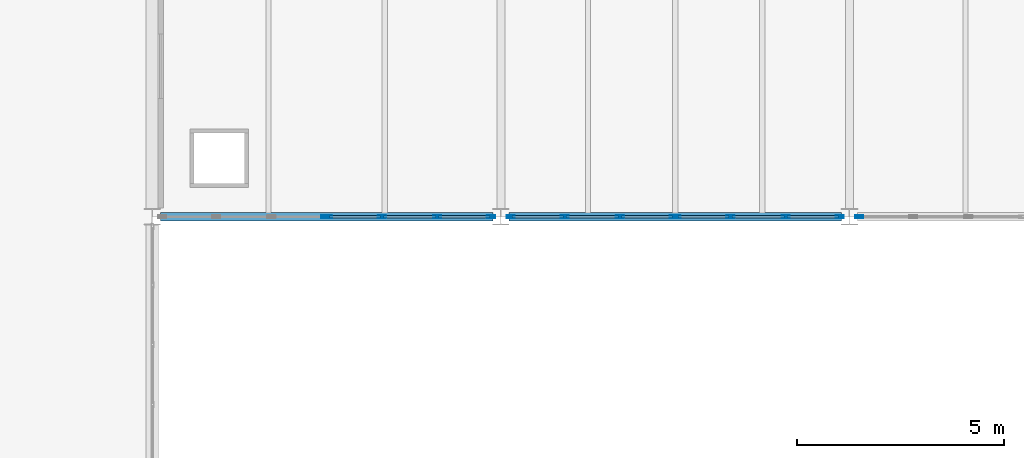
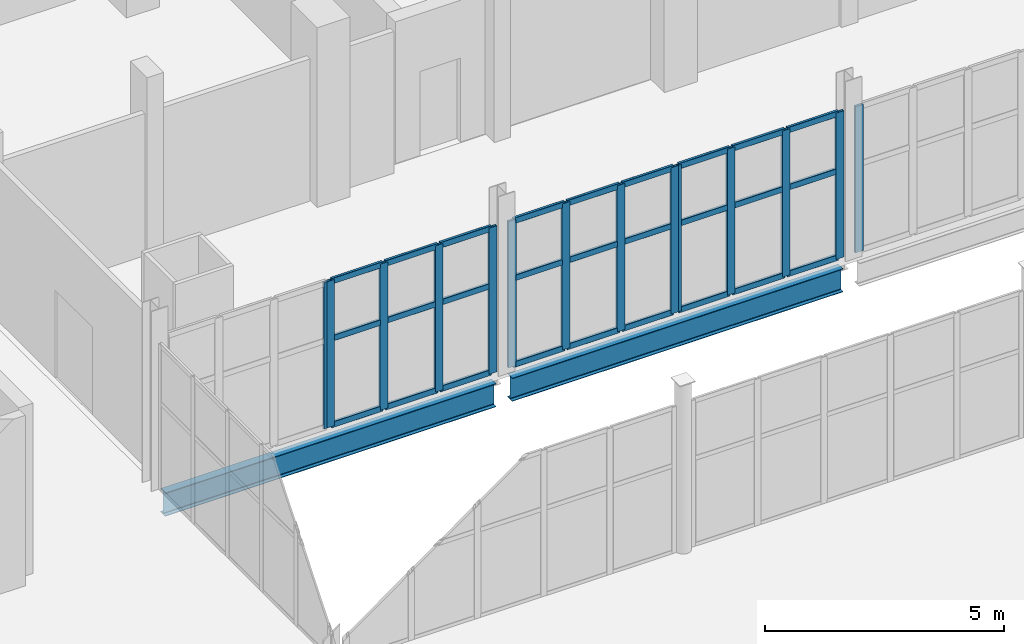
# One storey, part 71 of 172: 41 members, 2 beams, 5 elements without a shape of their own.
"""IFC4 building model written with IfcOpenShell, lengths in metres."""

from ifc_helpers import new_model, si_unit, direction, frame, origin, origin_2d, place, context, subcontext, project, spatial, hollow_rectangle, i_section, extrude, material, material_profile, profile_set, type_object, element, aggregate, save


model = new_model("IFC4")

# Units and contexts
model_context = context("Model", 3, precision=1e-05, world=origin(), true_north=direction((0.0, 1.0)))
body_context = subcontext(model_context, "Body", "Model", "MODEL_VIEW")
ifc_project = project(units=[si_unit("LENGTHUNIT", "METRE"), si_unit("AREAUNIT", "SQUARE_METRE"), si_unit("VOLUMEUNIT", "CUBIC_METRE"), si_unit("PLANEANGLEUNIT", "RADIAN"), si_unit("MASSUNIT", "GRAM", prefix="KILO")], contexts=[model_context])

# Site, building, storey
site_placement = place(None, origin())
site = spatial("IfcSite", under=ifc_project, at=site_placement, CompositionType="ELEMENT")
building_placement = place(site_placement, origin())
building = spatial("IfcBuilding", under=site, at=building_placement, Name="Shengluoqiao Park Theatre", CompositionType="ELEMENT")
storey_placement = place(building_placement, frame((0.0, 0.0, 5.39990234375)))
storey = spatial("IfcBuildingStorey", under=building, at=storey_placement, Name="L01", CompositionType="ELEMENT", Elevation=5.39990234375)

# Curtain wall, member
ifc_material_1 = material(Name="Aluminium 6063-T6", Category="aluminium")
curtain_wall_type = type_object("IfcCurtainWallType", Name="ENV-CW-PROM", PredefinedType="NOTDEFINED", material=ifc_material_1)
curtain_wall_1_placement = place(storey_placement, origin())
curtain_wall_1 = element("IfcCurtainWall", 1, at=curtain_wall_1_placement, inside=storey, type_object=curtain_wall_type, Name="L01 Curtain Wall CW-L01-0051", PredefinedType="NOTDEFINED")
ifc_material_profile_1 = material_profile(ifc_material_1, hollow_rectangle(XDim=0.06494140625, YDim=0.199951171875, WallThickness=0.0048828125, InnerFilletRadius=0.0048828125, OuterFilletRadius=0.010009765625, at=origin_2d()), Name="ALU MULLION 200x65x5")
ifc_profile_set_1 = profile_set([ifc_material_profile_1], Name="Aluminium 6063-T6")
member_type_1 = type_object("IfcMemberType", Name="ENV-MUL-200", PredefinedType="MULLION", material=ifc_profile_set_1)
member_1_placement = place(storey_placement, frame((48.5673828125, 68.39990234375, 0.0), z_axis=(0.0, 0.0, 1.0), x_axis=(0.0, 1.0, 0.0)))
member_1 = element("IfcMember", 2, at=member_1_placement, type_object=member_type_1, Name="CW-04 mullion 4", PredefinedType="MULLION", context=body_context, shape_type="SweptSolid", body=[
    extrude(hollow_rectangle(XDim=0.06494140625, YDim=0.199951171875, WallThickness=0.0048828125, InnerFilletRadius=0.0048828125, OuterFilletRadius=0.010009765625, at=origin_2d()), origin(), (0.0, 0.0, 1.0), 3.7421875),
])
aggregate(curtain_wall_1, [member_1])

# Curtain wall, members
curtain_wall_2_placement = place(storey_placement, origin())
curtain_wall_2 = element("IfcCurtainWall", 3, at=curtain_wall_2_placement, inside=storey, type_object=curtain_wall_type, Name="L01 Curtain Wall CW-L01-0052", PredefinedType="NOTDEFINED")
member_2_placement = place(storey_placement, frame((48.632568359375, 68.39990234375, 0.0), z_axis=(0.0, 0.0, 1.0), x_axis=(0.0, 1.0, 0.0)))
member_2 = element("IfcMember", 4, at=member_2_placement, type_object=member_type_1, Name="CW-04 mullion 1", PredefinedType="MULLION", context=body_context, shape_type="SweptSolid", body=[
    extrude(hollow_rectangle(XDim=0.06494140625, YDim=0.199951171875, WallThickness=0.0048828125, InnerFilletRadius=0.0048828125, OuterFilletRadius=0.010009765625, at=origin_2d()), origin(), (0.0, 0.0, 1.0), 3.7421875),
])
member_3_placement = place(storey_placement, frame((49.931884765625, 68.39990234375, 0.0), z_axis=(0.0, 0.0, 1.0), x_axis=(0.0, 1.0, 0.0)))
member_3 = element("IfcMember", 5, at=member_3_placement, type_object=member_type_1, Name="CW-04 mullion 2", PredefinedType="MULLION", context=body_context, shape_type="SweptSolid", body=[
    extrude(hollow_rectangle(XDim=0.06494140625, YDim=0.199951171875, WallThickness=0.0048828125, InnerFilletRadius=0.0048828125, OuterFilletRadius=0.010009765625, at=origin_2d()), origin(), (0.0, 0.0, 1.0), 3.7421875),
])
member_4_placement = place(storey_placement, frame((51.263916015625, 68.39990234375, 0.0), z_axis=(0.0, 0.0, 1.0), x_axis=(0.0, 1.0, 0.0)))
member_4 = element("IfcMember", 6, at=member_4_placement, type_object=member_type_1, Name="CW-04 mullion 3", PredefinedType="MULLION", context=body_context, shape_type="SweptSolid", body=[
    extrude(hollow_rectangle(XDim=0.06494140625, YDim=0.199951171875, WallThickness=0.0048828125, InnerFilletRadius=0.0048828125, OuterFilletRadius=0.010009765625, at=origin_2d()), origin(), (0.0, 0.0, 1.0), 3.7421875),
])
member_5_placement = place(storey_placement, frame((52.5634765625, 68.39990234375, 0.0), z_axis=(0.0, 0.0, 1.0), x_axis=(0.0, 1.0, 0.0)))
member_5 = element("IfcMember", 7, at=member_5_placement, type_object=member_type_1, Name="CW-04 mullion 4", PredefinedType="MULLION", context=body_context, shape_type="SweptSolid", body=[
    extrude(hollow_rectangle(XDim=0.06494140625, YDim=0.199951171875, WallThickness=0.0048828125, InnerFilletRadius=0.0048828125, OuterFilletRadius=0.010009765625, at=origin_2d()), origin(), (0.0, 0.0, 1.0), 3.7421875),
])

curtain_wall_3_placement = place(storey_placement, origin())
curtain_wall_3 = element("IfcCurtainWall", 8, at=curtain_wall_3_placement, inside=storey, type_object=curtain_wall_type, Name="L01 Curtain Wall CW-L01-0053", PredefinedType="NOTDEFINED")
member_6_placement = place(storey_placement, frame((53.03662109375, 68.39990234375, 0.0), z_axis=(0.0, 0.0, 1.0), x_axis=(0.0, 1.0, 0.0)))
member_6 = element("IfcMember", 9, at=member_6_placement, type_object=member_type_1, Name="CW-04 mullion 1", PredefinedType="MULLION", context=body_context, shape_type="SweptSolid", body=[
    extrude(hollow_rectangle(XDim=0.06494140625, YDim=0.199951171875, WallThickness=0.0048828125, InnerFilletRadius=0.0048828125, OuterFilletRadius=0.010009765625, at=origin_2d()), origin(), (0.0, 0.0, 1.0), 3.7421875),
])
member_7_placement = place(storey_placement, frame((54.3359375, 68.39990234375, 0.0), z_axis=(0.0, 0.0, 1.0), x_axis=(0.0, 1.0, 0.0)))
member_7 = element("IfcMember", 10, at=member_7_placement, type_object=member_type_1, Name="CW-04 mullion 2", PredefinedType="MULLION", context=body_context, shape_type="SweptSolid", body=[
    extrude(hollow_rectangle(XDim=0.06494140625, YDim=0.199951171875, WallThickness=0.0048828125, InnerFilletRadius=0.0048828125, OuterFilletRadius=0.010009765625, at=origin_2d()), origin(), (0.0, 0.0, 1.0), 3.7421875),
])
member_8_placement = place(storey_placement, frame((55.66796875, 68.39990234375, 0.0), z_axis=(0.0, 0.0, 1.0), x_axis=(0.0, 1.0, 0.0)))
member_8 = element("IfcMember", 11, at=member_8_placement, type_object=member_type_1, Name="CW-04 mullion 3", PredefinedType="MULLION", context=body_context, shape_type="SweptSolid", body=[
    extrude(hollow_rectangle(XDim=0.06494140625, YDim=0.199951171875, WallThickness=0.0048828125, InnerFilletRadius=0.0048828125, OuterFilletRadius=0.010009765625, at=origin_2d()), origin(), (0.0, 0.0, 1.0), 3.7421875),
])
member_9_placement = place(storey_placement, frame((56.967529296875, 68.39990234375, 0.0), z_axis=(0.0, 0.0, 1.0), x_axis=(0.0, 1.0, 0.0)))
member_9 = element("IfcMember", 12, at=member_9_placement, type_object=member_type_1, Name="CW-04 mullion 4", PredefinedType="MULLION", context=body_context, shape_type="SweptSolid", body=[
    extrude(hollow_rectangle(XDim=0.06494140625, YDim=0.199951171875, WallThickness=0.0048828125, InnerFilletRadius=0.0048828125, OuterFilletRadius=0.010009765625, at=origin_2d()), origin(), (0.0, 0.0, 1.0), 3.7421875),
])

curtain_wall_4_placement = place(storey_placement, origin())
curtain_wall_4 = element("IfcCurtainWall", 13, at=curtain_wall_4_placement, inside=storey, type_object=curtain_wall_type, Name="L01 Curtain Wall CW-L01-0054", PredefinedType="NOTDEFINED")
member_10_placement = place(storey_placement, frame((57.032470703125, 68.39990234375, 0.0), z_axis=(0.0, 0.0, 1.0), x_axis=(0.0, 1.0, 0.0)))
member_10 = element("IfcMember", 14, at=member_10_placement, type_object=member_type_1, Name="CW-04 mullion 1", PredefinedType="MULLION", context=body_context, shape_type="SweptSolid", body=[
    extrude(hollow_rectangle(XDim=0.06494140625, YDim=0.199951171875, WallThickness=0.0048828125, InnerFilletRadius=0.0048828125, OuterFilletRadius=0.010009765625, at=origin_2d()), origin(), (0.0, 0.0, 1.0), 3.7421875),
])
member_11_placement = place(storey_placement, frame((58.33203125, 68.39990234375, 0.0), z_axis=(0.0, 0.0, 1.0), x_axis=(0.0, 1.0, 0.0)))
member_11 = element("IfcMember", 15, at=member_11_placement, type_object=member_type_1, Name="CW-04 mullion 2", PredefinedType="MULLION", context=body_context, shape_type="SweptSolid", body=[
    extrude(hollow_rectangle(XDim=0.06494140625, YDim=0.199951171875, WallThickness=0.0048828125, InnerFilletRadius=0.0048828125, OuterFilletRadius=0.010009765625, at=origin_2d()), origin(), (0.0, 0.0, 1.0), 3.7421875),
])
member_12_placement = place(storey_placement, frame((59.6640625, 68.39990234375, 0.0), z_axis=(0.0, 0.0, 1.0), x_axis=(0.0, 1.0, 0.0)))
member_12 = element("IfcMember", 16, at=member_12_placement, type_object=member_type_1, Name="CW-04 mullion 3", PredefinedType="MULLION", context=body_context, shape_type="SweptSolid", body=[
    extrude(hollow_rectangle(XDim=0.06494140625, YDim=0.199951171875, WallThickness=0.0048828125, InnerFilletRadius=0.0048828125, OuterFilletRadius=0.010009765625, at=origin_2d()), origin(), (0.0, 0.0, 1.0), 3.7421875),
])
member_13_placement = place(storey_placement, frame((60.96337890625, 68.39990234375, 0.0), z_axis=(0.0, 0.0, 1.0), x_axis=(0.0, 1.0, 0.0)))
member_13 = element("IfcMember", 17, at=member_13_placement, type_object=member_type_1, Name="CW-04 mullion 4", PredefinedType="MULLION", context=body_context, shape_type="SweptSolid", body=[
    extrude(hollow_rectangle(XDim=0.06494140625, YDim=0.199951171875, WallThickness=0.0048828125, InnerFilletRadius=0.0048828125, OuterFilletRadius=0.010009765625, at=origin_2d()), origin(), (0.0, 0.0, 1.0), 3.7421875),
])

# Curtain wall, member
curtain_wall_5_placement = place(storey_placement, origin())
curtain_wall_5 = element("IfcCurtainWall", 18, at=curtain_wall_5_placement, inside=storey, type_object=curtain_wall_type, Name="L01 Curtain Wall CW-L01-0055", PredefinedType="NOTDEFINED")
member_14_placement = place(storey_placement, frame((61.4365234375, 68.39990234375, 0.0), z_axis=(0.0, 0.0, 1.0), x_axis=(0.0, 1.0, 0.0)))
member_14 = element("IfcMember", 19, at=member_14_placement, type_object=member_type_1, Name="CW-04 mullion 1", PredefinedType="MULLION", context=body_context, shape_type="SweptSolid", body=[
    extrude(hollow_rectangle(XDim=0.06494140625, YDim=0.199951171875, WallThickness=0.0048828125, InnerFilletRadius=0.0048828125, OuterFilletRadius=0.010009765625, at=origin_2d()), origin(), (0.0, 0.0, 1.0), 3.7421875),
])
aggregate(curtain_wall_5, [member_14])

# Member
ifc_material_profile_2 = material_profile(ifc_material_1, hollow_rectangle(XDim=0.06494140625, YDim=0.14990234375, WallThickness=0.00390625, InnerFilletRadius=0.00390625, OuterFilletRadius=0.008056640625, at=origin_2d()), Name="ALU TRANSOM 150x65x4")
ifc_profile_set_2 = profile_set([ifc_material_profile_2], Name="Aluminium 6063-T6")
member_type_2 = type_object("IfcMemberType", Name="ENV-TRN-150", PredefinedType="USERDEFINED", material=ifc_profile_set_2)
member_15_placement = place(storey_placement, frame((48.6650390625, 68.39990234375, 0.03271484375), z_axis=(1.0, 0.0, 0.0), x_axis=(0.0, 1.0, 0.0)))
member_15 = element("IfcMember", 20, at=member_15_placement, type_object=member_type_2, Name="CW-04 transom 1.1", ObjectType="TRANSOM", PredefinedType="USERDEFINED", context=body_context, shape_type="SweptSolid", body=[
    extrude(hollow_rectangle(XDim=0.06494140625, YDim=0.14990234375, WallThickness=0.00390625, InnerFilletRadius=0.00390625, OuterFilletRadius=0.008056640625, at=origin_2d()), origin(), (0.0, 0.0, 1.0), 1.234375),
])

member_16_placement = place(storey_placement, frame((48.6650390625, 68.39990234375, 2.2451171875), z_axis=(1.0, 0.0, 0.0), x_axis=(0.0, 1.0, 0.0)))
member_16 = element("IfcMember", 21, at=member_16_placement, type_object=member_type_2, Name="CW-04 transom 1.2", ObjectType="TRANSOM", PredefinedType="USERDEFINED", context=body_context, shape_type="SweptSolid", body=[
    extrude(hollow_rectangle(XDim=0.06494140625, YDim=0.14990234375, WallThickness=0.00390625, InnerFilletRadius=0.00390625, OuterFilletRadius=0.008056640625, at=origin_2d()), origin(), (0.0, 0.0, 1.0), 1.234375),
])

member_17_placement = place(storey_placement, frame((48.6650390625, 68.39990234375, 3.709716796875), z_axis=(1.0, 0.0, 0.0), x_axis=(0.0, 1.0, 0.0)))
member_17 = element("IfcMember", 22, at=member_17_placement, type_object=member_type_2, Name="CW-04 transom 1.3", ObjectType="TRANSOM", PredefinedType="USERDEFINED", context=body_context, shape_type="SweptSolid", body=[
    extrude(hollow_rectangle(XDim=0.06494140625, YDim=0.14990234375, WallThickness=0.00390625, InnerFilletRadius=0.00390625, OuterFilletRadius=0.008056640625, at=origin_2d()), origin(), (0.0, 0.0, 1.0), 1.234375),
])

member_18_placement = place(storey_placement, frame((49.964599609375, 68.39990234375, 0.03271484375), z_axis=(1.0, 0.0, 0.0), x_axis=(0.0, 1.0, 0.0)))
member_18 = element("IfcMember", 23, at=member_18_placement, type_object=member_type_2, Name="CW-04 transom 2.1", ObjectType="TRANSOM", PredefinedType="USERDEFINED", context=body_context, shape_type="SweptSolid", body=[
    extrude(hollow_rectangle(XDim=0.06494140625, YDim=0.14990234375, WallThickness=0.00390625, InnerFilletRadius=0.00390625, OuterFilletRadius=0.008056640625, at=origin_2d()), origin(), (0.0, 0.0, 1.0), 1.266845703125),
])

member_19_placement = place(storey_placement, frame((49.964599609375, 68.39990234375, 2.2451171875), z_axis=(1.0, 0.0, 0.0), x_axis=(0.0, 1.0, 0.0)))
member_19 = element("IfcMember", 24, at=member_19_placement, type_object=member_type_2, Name="CW-04 transom 2.2", ObjectType="TRANSOM", PredefinedType="USERDEFINED", context=body_context, shape_type="SweptSolid", body=[
    extrude(hollow_rectangle(XDim=0.06494140625, YDim=0.14990234375, WallThickness=0.00390625, InnerFilletRadius=0.00390625, OuterFilletRadius=0.008056640625, at=origin_2d()), origin(), (0.0, 0.0, 1.0), 1.266845703125),
])

member_20_placement = place(storey_placement, frame((49.964599609375, 68.39990234375, 3.709716796875), z_axis=(1.0, 0.0, 0.0), x_axis=(0.0, 1.0, 0.0)))
member_20 = element("IfcMember", 25, at=member_20_placement, type_object=member_type_2, Name="CW-04 transom 2.3", ObjectType="TRANSOM", PredefinedType="USERDEFINED", context=body_context, shape_type="SweptSolid", body=[
    extrude(hollow_rectangle(XDim=0.06494140625, YDim=0.14990234375, WallThickness=0.00390625, InnerFilletRadius=0.00390625, OuterFilletRadius=0.008056640625, at=origin_2d()), origin(), (0.0, 0.0, 1.0), 1.266845703125),
])

member_21_placement = place(storey_placement, frame((51.29638671875, 68.39990234375, 0.03271484375), z_axis=(1.0, 0.0, 0.0), x_axis=(0.0, 1.0, 0.0)))
member_21 = element("IfcMember", 26, at=member_21_placement, type_object=member_type_2, Name="CW-04 transom 3.1", ObjectType="TRANSOM", PredefinedType="USERDEFINED", context=body_context, shape_type="SweptSolid", body=[
    extrude(hollow_rectangle(XDim=0.06494140625, YDim=0.14990234375, WallThickness=0.00390625, InnerFilletRadius=0.00390625, OuterFilletRadius=0.008056640625, at=origin_2d()), origin(), (0.0, 0.0, 1.0), 1.234619140625),
])

member_22_placement = place(storey_placement, frame((51.29638671875, 68.39990234375, 2.2451171875), z_axis=(1.0, 0.0, 0.0), x_axis=(0.0, 1.0, 0.0)))
member_22 = element("IfcMember", 27, at=member_22_placement, type_object=member_type_2, Name="CW-04 transom 3.2", ObjectType="TRANSOM", PredefinedType="USERDEFINED", context=body_context, shape_type="SweptSolid", body=[
    extrude(hollow_rectangle(XDim=0.06494140625, YDim=0.14990234375, WallThickness=0.00390625, InnerFilletRadius=0.00390625, OuterFilletRadius=0.008056640625, at=origin_2d()), origin(), (0.0, 0.0, 1.0), 1.234619140625),
])

member_23_placement = place(storey_placement, frame((51.29638671875, 68.39990234375, 3.709716796875), z_axis=(1.0, 0.0, 0.0), x_axis=(0.0, 1.0, 0.0)))
member_23 = element("IfcMember", 28, at=member_23_placement, type_object=member_type_2, Name="CW-04 transom 3.3", ObjectType="TRANSOM", PredefinedType="USERDEFINED", context=body_context, shape_type="SweptSolid", body=[
    extrude(hollow_rectangle(XDim=0.06494140625, YDim=0.14990234375, WallThickness=0.00390625, InnerFilletRadius=0.00390625, OuterFilletRadius=0.008056640625, at=origin_2d()), origin(), (0.0, 0.0, 1.0), 1.234619140625),
])

aggregate(curtain_wall_2, [member_2, member_3, member_4, member_5, member_15, member_16, member_17, member_18, member_19, member_20, member_21, member_22, member_23])

member_24_placement = place(storey_placement, frame((53.069091796875, 68.39990234375, 0.03271484375), z_axis=(1.0, 0.0, 0.0), x_axis=(0.0, 1.0, 0.0)))
member_24 = element("IfcMember", 29, at=member_24_placement, type_object=member_type_2, Name="CW-04 transom 1.1", ObjectType="TRANSOM", PredefinedType="USERDEFINED", context=body_context, shape_type="SweptSolid", body=[
    extrude(hollow_rectangle(XDim=0.06494140625, YDim=0.14990234375, WallThickness=0.00390625, InnerFilletRadius=0.00390625, OuterFilletRadius=0.008056640625, at=origin_2d()), origin(), (0.0, 0.0, 1.0), 1.234375),
])

member_25_placement = place(storey_placement, frame((53.069091796875, 68.39990234375, 2.2451171875), z_axis=(1.0, 0.0, 0.0), x_axis=(0.0, 1.0, 0.0)))
member_25 = element("IfcMember", 30, at=member_25_placement, type_object=member_type_2, Name="CW-04 transom 1.2", ObjectType="TRANSOM", PredefinedType="USERDEFINED", context=body_context, shape_type="SweptSolid", body=[
    extrude(hollow_rectangle(XDim=0.06494140625, YDim=0.14990234375, WallThickness=0.00390625, InnerFilletRadius=0.00390625, OuterFilletRadius=0.008056640625, at=origin_2d()), origin(), (0.0, 0.0, 1.0), 1.234375),
])

member_26_placement = place(storey_placement, frame((53.069091796875, 68.39990234375, 3.709716796875), z_axis=(1.0, 0.0, 0.0), x_axis=(0.0, 1.0, 0.0)))
member_26 = element("IfcMember", 31, at=member_26_placement, type_object=member_type_2, Name="CW-04 transom 1.3", ObjectType="TRANSOM", PredefinedType="USERDEFINED", context=body_context, shape_type="SweptSolid", body=[
    extrude(hollow_rectangle(XDim=0.06494140625, YDim=0.14990234375, WallThickness=0.00390625, InnerFilletRadius=0.00390625, OuterFilletRadius=0.008056640625, at=origin_2d()), origin(), (0.0, 0.0, 1.0), 1.234375),
])

member_27_placement = place(storey_placement, frame((54.368408203125, 68.39990234375, 0.03271484375), z_axis=(1.0, 0.0, 0.0), x_axis=(0.0, 1.0, 0.0)))
member_27 = element("IfcMember", 32, at=member_27_placement, type_object=member_type_2, Name="CW-04 transom 2.1", ObjectType="TRANSOM", PredefinedType="USERDEFINED", context=body_context, shape_type="SweptSolid", body=[
    extrude(hollow_rectangle(XDim=0.06494140625, YDim=0.14990234375, WallThickness=0.00390625, InnerFilletRadius=0.00390625, OuterFilletRadius=0.008056640625, at=origin_2d()), origin(), (0.0, 0.0, 1.0), 1.26708984375),
])

member_28_placement = place(storey_placement, frame((54.368408203125, 68.39990234375, 2.2451171875), z_axis=(1.0, 0.0, 0.0), x_axis=(0.0, 1.0, 0.0)))
member_28 = element("IfcMember", 33, at=member_28_placement, type_object=member_type_2, Name="CW-04 transom 2.2", ObjectType="TRANSOM", PredefinedType="USERDEFINED", context=body_context, shape_type="SweptSolid", body=[
    extrude(hollow_rectangle(XDim=0.06494140625, YDim=0.14990234375, WallThickness=0.00390625, InnerFilletRadius=0.00390625, OuterFilletRadius=0.008056640625, at=origin_2d()), origin(), (0.0, 0.0, 1.0), 1.26708984375),
])

member_29_placement = place(storey_placement, frame((54.368408203125, 68.39990234375, 3.709716796875), z_axis=(1.0, 0.0, 0.0), x_axis=(0.0, 1.0, 0.0)))
member_29 = element("IfcMember", 34, at=member_29_placement, type_object=member_type_2, Name="CW-04 transom 2.3", ObjectType="TRANSOM", PredefinedType="USERDEFINED", context=body_context, shape_type="SweptSolid", body=[
    extrude(hollow_rectangle(XDim=0.06494140625, YDim=0.14990234375, WallThickness=0.00390625, InnerFilletRadius=0.00390625, OuterFilletRadius=0.008056640625, at=origin_2d()), origin(), (0.0, 0.0, 1.0), 1.26708984375),
])

member_30_placement = place(storey_placement, frame((55.700439453125, 68.39990234375, 0.03271484375), z_axis=(1.0, 0.0, 0.0), x_axis=(0.0, 1.0, 0.0)))
member_30 = element("IfcMember", 35, at=member_30_placement, type_object=member_type_2, Name="CW-04 transom 3.1", ObjectType="TRANSOM", PredefinedType="USERDEFINED", context=body_context, shape_type="SweptSolid", body=[
    extrude(hollow_rectangle(XDim=0.06494140625, YDim=0.14990234375, WallThickness=0.00390625, InnerFilletRadius=0.00390625, OuterFilletRadius=0.008056640625, at=origin_2d()), origin(), (0.0, 0.0, 1.0), 1.234619140625),
])

member_31_placement = place(storey_placement, frame((55.700439453125, 68.39990234375, 2.2451171875), z_axis=(1.0, 0.0, 0.0), x_axis=(0.0, 1.0, 0.0)))
member_31 = element("IfcMember", 36, at=member_31_placement, type_object=member_type_2, Name="CW-04 transom 3.2", ObjectType="TRANSOM", PredefinedType="USERDEFINED", context=body_context, shape_type="SweptSolid", body=[
    extrude(hollow_rectangle(XDim=0.06494140625, YDim=0.14990234375, WallThickness=0.00390625, InnerFilletRadius=0.00390625, OuterFilletRadius=0.008056640625, at=origin_2d()), origin(), (0.0, 0.0, 1.0), 1.234619140625),
])

member_32_placement = place(storey_placement, frame((55.700439453125, 68.39990234375, 3.709716796875), z_axis=(1.0, 0.0, 0.0), x_axis=(0.0, 1.0, 0.0)))
member_32 = element("IfcMember", 37, at=member_32_placement, type_object=member_type_2, Name="CW-04 transom 3.3", ObjectType="TRANSOM", PredefinedType="USERDEFINED", context=body_context, shape_type="SweptSolid", body=[
    extrude(hollow_rectangle(XDim=0.06494140625, YDim=0.14990234375, WallThickness=0.00390625, InnerFilletRadius=0.00390625, OuterFilletRadius=0.008056640625, at=origin_2d()), origin(), (0.0, 0.0, 1.0), 1.234619140625),
])

aggregate(curtain_wall_3, [member_6, member_7, member_8, member_9, member_24, member_25, member_26, member_27, member_28, member_29, member_30, member_31, member_32])

member_33_placement = place(storey_placement, frame((57.06494140625, 68.39990234375, 0.03271484375), z_axis=(1.0, 0.0, 0.0), x_axis=(0.0, 1.0, 0.0)))
member_33 = element("IfcMember", 38, at=member_33_placement, type_object=member_type_2, Name="CW-04 transom 1.1", ObjectType="TRANSOM", PredefinedType="USERDEFINED", context=body_context, shape_type="SweptSolid", body=[
    extrude(hollow_rectangle(XDim=0.06494140625, YDim=0.14990234375, WallThickness=0.00390625, InnerFilletRadius=0.00390625, OuterFilletRadius=0.008056640625, at=origin_2d()), origin(), (0.0, 0.0, 1.0), 1.234619140625),
])

member_34_placement = place(storey_placement, frame((57.06494140625, 68.39990234375, 2.2451171875), z_axis=(1.0, 0.0, 0.0), x_axis=(0.0, 1.0, 0.0)))
member_34 = element("IfcMember", 39, at=member_34_placement, type_object=member_type_2, Name="CW-04 transom 1.2", ObjectType="TRANSOM", PredefinedType="USERDEFINED", context=body_context, shape_type="SweptSolid", body=[
    extrude(hollow_rectangle(XDim=0.06494140625, YDim=0.14990234375, WallThickness=0.00390625, InnerFilletRadius=0.00390625, OuterFilletRadius=0.008056640625, at=origin_2d()), origin(), (0.0, 0.0, 1.0), 1.234619140625),
])

member_35_placement = place(storey_placement, frame((57.06494140625, 68.39990234375, 3.709716796875), z_axis=(1.0, 0.0, 0.0), x_axis=(0.0, 1.0, 0.0)))
member_35 = element("IfcMember", 40, at=member_35_placement, type_object=member_type_2, Name="CW-04 transom 1.3", ObjectType="TRANSOM", PredefinedType="USERDEFINED", context=body_context, shape_type="SweptSolid", body=[
    extrude(hollow_rectangle(XDim=0.06494140625, YDim=0.14990234375, WallThickness=0.00390625, InnerFilletRadius=0.00390625, OuterFilletRadius=0.008056640625, at=origin_2d()), origin(), (0.0, 0.0, 1.0), 1.234619140625),
])

member_36_placement = place(storey_placement, frame((58.364501953125, 68.39990234375, 0.03271484375), z_axis=(1.0, 0.0, 0.0), x_axis=(0.0, 1.0, 0.0)))
member_36 = element("IfcMember", 41, at=member_36_placement, type_object=member_type_2, Name="CW-04 transom 2.1", ObjectType="TRANSOM", PredefinedType="USERDEFINED", context=body_context, shape_type="SweptSolid", body=[
    extrude(hollow_rectangle(XDim=0.06494140625, YDim=0.14990234375, WallThickness=0.00390625, InnerFilletRadius=0.00390625, OuterFilletRadius=0.008056640625, at=origin_2d()), origin(), (0.0, 0.0, 1.0), 1.26708984375),
])

member_37_placement = place(storey_placement, frame((58.364501953125, 68.39990234375, 2.2451171875), z_axis=(1.0, 0.0, 0.0), x_axis=(0.0, 1.0, 0.0)))
member_37 = element("IfcMember", 42, at=member_37_placement, type_object=member_type_2, Name="CW-04 transom 2.2", ObjectType="TRANSOM", PredefinedType="USERDEFINED", context=body_context, shape_type="SweptSolid", body=[
    extrude(hollow_rectangle(XDim=0.06494140625, YDim=0.14990234375, WallThickness=0.00390625, InnerFilletRadius=0.00390625, OuterFilletRadius=0.008056640625, at=origin_2d()), origin(), (0.0, 0.0, 1.0), 1.26708984375),
])

member_38_placement = place(storey_placement, frame((58.364501953125, 68.39990234375, 3.709716796875), z_axis=(1.0, 0.0, 0.0), x_axis=(0.0, 1.0, 0.0)))
member_38 = element("IfcMember", 43, at=member_38_placement, type_object=member_type_2, Name="CW-04 transom 2.3", ObjectType="TRANSOM", PredefinedType="USERDEFINED", context=body_context, shape_type="SweptSolid", body=[
    extrude(hollow_rectangle(XDim=0.06494140625, YDim=0.14990234375, WallThickness=0.00390625, InnerFilletRadius=0.00390625, OuterFilletRadius=0.008056640625, at=origin_2d()), origin(), (0.0, 0.0, 1.0), 1.26708984375),
])

member_39_placement = place(storey_placement, frame((59.696533203125, 68.39990234375, 0.03271484375), z_axis=(1.0, 0.0, 0.0), x_axis=(0.0, 1.0, 0.0)))
member_39 = element("IfcMember", 44, at=member_39_placement, type_object=member_type_2, Name="CW-04 transom 3.1", ObjectType="TRANSOM", PredefinedType="USERDEFINED", context=body_context, shape_type="SweptSolid", body=[
    extrude(hollow_rectangle(XDim=0.06494140625, YDim=0.14990234375, WallThickness=0.00390625, InnerFilletRadius=0.00390625, OuterFilletRadius=0.008056640625, at=origin_2d()), origin(), (0.0, 0.0, 1.0), 1.234375),
])

member_40_placement = place(storey_placement, frame((59.696533203125, 68.39990234375, 2.2451171875), z_axis=(1.0, 0.0, 0.0), x_axis=(0.0, 1.0, 0.0)))
member_40 = element("IfcMember", 45, at=member_40_placement, type_object=member_type_2, Name="CW-04 transom 3.2", ObjectType="TRANSOM", PredefinedType="USERDEFINED", context=body_context, shape_type="SweptSolid", body=[
    extrude(hollow_rectangle(XDim=0.06494140625, YDim=0.14990234375, WallThickness=0.00390625, InnerFilletRadius=0.00390625, OuterFilletRadius=0.008056640625, at=origin_2d()), origin(), (0.0, 0.0, 1.0), 1.234375),
])

member_41_placement = place(storey_placement, frame((59.696533203125, 68.39990234375, 3.709716796875), z_axis=(1.0, 0.0, 0.0), x_axis=(0.0, 1.0, 0.0)))
member_41 = element("IfcMember", 46, at=member_41_placement, type_object=member_type_2, Name="CW-04 transom 3.3", ObjectType="TRANSOM", PredefinedType="USERDEFINED", context=body_context, shape_type="SweptSolid", body=[
    extrude(hollow_rectangle(XDim=0.06494140625, YDim=0.14990234375, WallThickness=0.00390625, InnerFilletRadius=0.00390625, OuterFilletRadius=0.008056640625, at=origin_2d()), origin(), (0.0, 0.0, 1.0), 1.234375),
])

aggregate(curtain_wall_4, [member_10, member_11, member_12, member_13, member_33, member_34, member_35, member_36, member_37, member_38, member_39, member_40, member_41])

# Beams
ifc_material_2 = material(Name="Steel Q355", Category="steel")
ifc_material_profile_3 = material_profile(ifc_material_2, i_section(OverallWidth=0.198974609375, OverallDepth=0.595947265625, WebThickness=0.010009765625, FlangeThickness=0.014892578125, FilletRadius=0.02001953125, at=origin_2d()), Name="HN 596x199x10x15")
ifc_profile_set_3 = profile_set([ifc_material_profile_3], Name="Steel Q355")
beam_type = type_object("IfcBeamType", Name="STR-BM-SP-HN596", PredefinedType="SPANDREL", material=ifc_profile_set_3)
beam_1_placement = place(storey_placement, frame((44.596435546875, 68.39990234375, -0.537841796875), z_axis=(1.0, 0.0, 0.0), x_axis=(0.0, 1.0, 0.0)))
element("IfcBeam", 47, at=beam_1_placement, inside=storey, type_object=beam_type, Name="L01 Primary Girder 00497", PredefinedType="SPANDREL", context=body_context, shape_type="SweptSolid", body=[
    extrude(i_section(OverallWidth=0.198974609375, OverallDepth=0.595947265625, WebThickness=0.010009765625, FlangeThickness=0.014892578125, FilletRadius=0.02001953125, at=origin_2d()), origin(), (0.0, 0.0, 1.0), 8.007080078125),
])
beam_2_placement = place(storey_placement, frame((52.99658203125, 68.39990234375, -0.537841796875), z_axis=(1.0, 0.0, 0.0), x_axis=(0.0, 1.0, 0.0)))
element("IfcBeam", 48, at=beam_2_placement, inside=storey, type_object=beam_type, Name="L01 Primary Girder 00498", PredefinedType="SPANDREL", context=body_context, shape_type="SweptSolid", body=[
    extrude(i_section(OverallWidth=0.198974609375, OverallDepth=0.595947265625, WebThickness=0.010009765625, FlangeThickness=0.014892578125, FilletRadius=0.02001953125, at=origin_2d()), origin(), (0.0, 0.0, 1.0), 8.0068359375),
])

save(model, "model.ifc")
